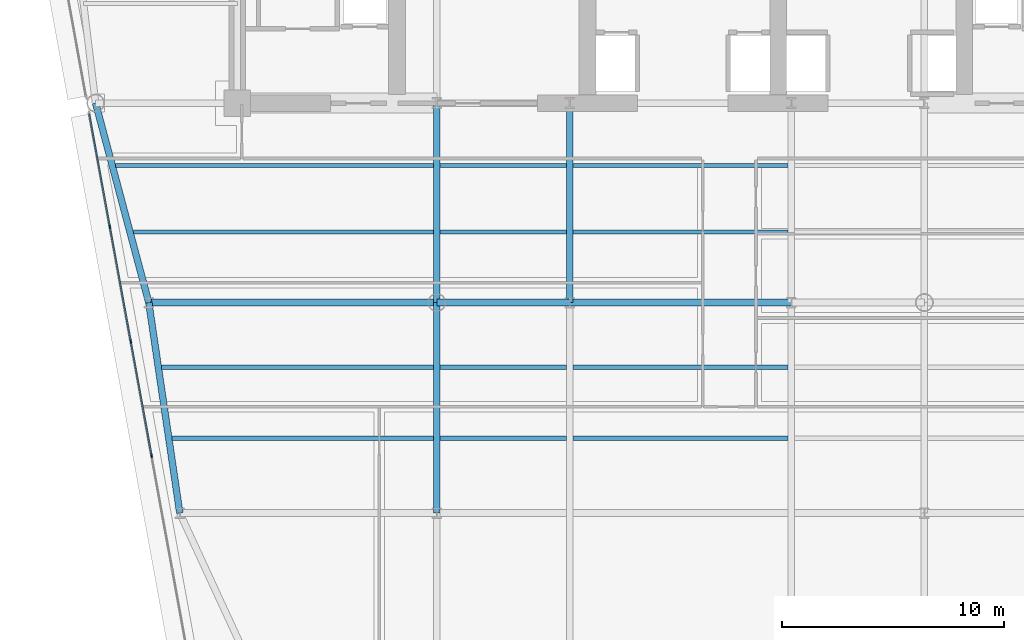
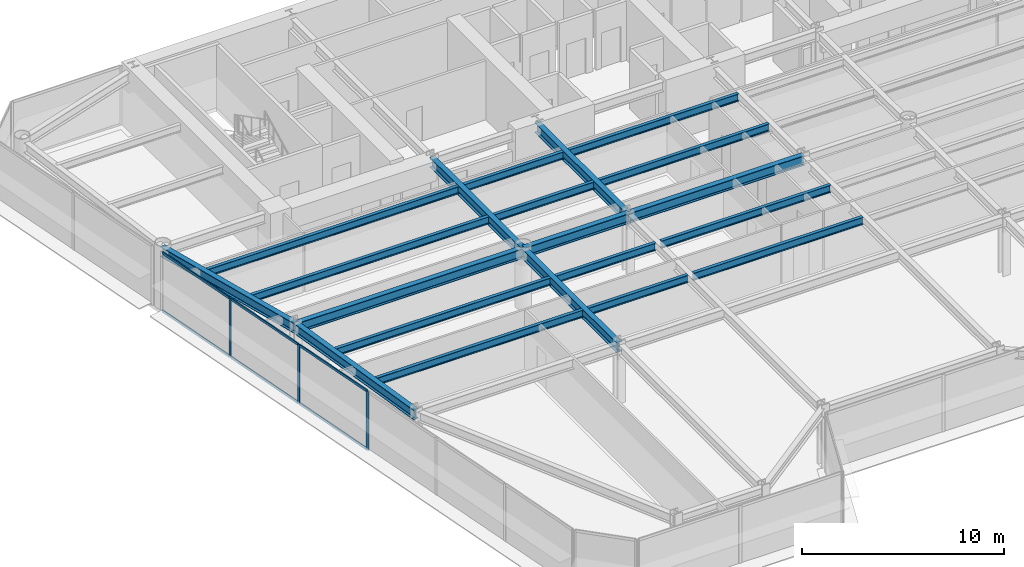
# One storey, part 4 of 17: 20 beams, 9 members, 1 element without a shape of its own.
"""IFC4 building model written with IfcOpenShell, lengths in metres."""

from ifc_helpers import new_model, si_unit, direction, frame, origin, origin_2d, place, context, subcontext, project, spatial, rectangle, i_section, extrude, source, transform, mapped, material, layer, layer_set, material_profile, profile_set, type_object, element, aggregate, save


model = new_model("IFC4")

# Units and contexts
model_context = context("Model", 3, precision=1e-05, world=origin(), true_north=direction((0.0, 1.0)))
body_context = subcontext(model_context, "Body", "Model", "MODEL_VIEW")
ifc_project = project(units=[si_unit("LENGTHUNIT", "METRE"), si_unit("AREAUNIT", "SQUARE_METRE"), si_unit("VOLUMEUNIT", "CUBIC_METRE"), si_unit("PLANEANGLEUNIT", "RADIAN"), si_unit("MASSUNIT", "GRAM", prefix="KILO")], contexts=[model_context])

# Site, building, storey
site_placement = place(None, origin())
site = spatial("IfcSite", under=ifc_project, at=site_placement, CompositionType="ELEMENT")
building_placement = place(site_placement, origin())
building = spatial("IfcBuilding", under=site, at=building_placement, Name="Vaeldorn Concourse Tower", CompositionType="ELEMENT")
storey_placement = place(building_placement, frame((0.0, 0.0, 157.60009765625)))
storey = spatial("IfcBuildingStorey", under=building, at=storey_placement, Name="L40", CompositionType="ELEMENT", Elevation=157.60009765625)

# Beams
ifc_material_1 = material(Name="Steel S355", Category="steel")
ifc_material_profile_1 = material_profile(ifc_material_1, i_section(OverallWidth=0.18994140625, OverallDepth=0.449951171875, WebThickness=0.009521484375, FlangeThickness=0.0146484375, FilletRadius=0.02099609375, at=origin_2d()), Name="IPE 450")
ifc_profile_set_1 = profile_set([ifc_material_profile_1], Name="Steel S355")
beam_type_1 = type_object("IfcBeamType", Name="BM-JS-IPE450", PredefinedType="JOIST", material=ifc_profile_set_1)
shared_shape_1 = source(origin(), body_context, "Body", "SweptSolid", [
    extrude(i_section(OverallWidth=0.18994140625, OverallDepth=0.449951171875, WebThickness=0.009521484375, FlangeThickness=0.0146484375, FilletRadius=0.02099609375, at=origin_2d()), origin(), (0.0, 0.0, 1.0), 5.7001953125),
])
for number, where, z_axis, x_axis, name in (
    (1, (23.14990234375, 21.3798828125, 3.35498046875), (1.0, 0.0, 0.0), (0.0, 1.0, 0.0), "Beam JS-L40-W2-213"),
    (2, (23.14990234375, 24.580078125, 3.35498046875), (1.0, 0.0, 0.0), (0.0, 1.0, 0.0), "Beam JS-L40-W2-245"),
    (3, (23.14990234375, 30.679931640625, 3.35498046875), (1.0, 0.0, 0.0), (0.0, 1.0, 0.0), "Beam JS-L40-W2-306"),
    (4, (23.14990234375, 33.679931640625, 3.35498046875), (1.0, 0.0, 0.0), (0.0, 1.0, 0.0), "Beam JS-L40-W2-336"),
):
    element("IfcBeam", number, at=place(storey_placement, frame(where, z_axis=z_axis, x_axis=x_axis)), inside=storey, type_object=beam_type_1, Name=name, PredefinedType="JOIST", context=body_context, shape_type="MappedRepresentation", body=[
        mapped(shared_shape_1, transform((0.0, 0.0, 0.0), scale=1.0)),
    ])
shared_shape_2 = source(origin(), body_context, "Body", "SweptSolid", [
    extrude(i_section(OverallWidth=0.18994140625, OverallDepth=0.449951171875, WebThickness=0.009521484375, FlangeThickness=0.0146484375, FilletRadius=0.02099609375, at=origin_2d()), origin(), (0.0, 0.0, 1.0), 9.7001953125),
])
for number, where, z_axis, x_axis, name in (
    (5, (29.14990234375, 21.3798828125, 3.35498046875), (1.0, 0.0, 0.0), (0.0, 1.0, 0.0), "Beam JS-L40-C-213"),
    (6, (29.14990234375, 24.580078125, 3.35498046875), (1.0, 0.0, 0.0), (0.0, 1.0, 0.0), "Beam JS-L40-C-245"),
    (7, (29.14990234375, 30.679931640625, 3.35498046875), (1.0, 0.0, 0.0), (0.0, 1.0, 0.0), "Beam JS-L40-C-306"),
    (8, (29.14990234375, 33.679931640625, 3.35498046875), (1.0, 0.0, 0.0), (0.0, 1.0, 0.0), "Beam JS-L40-C-336"),
):
    element("IfcBeam", number, at=place(storey_placement, frame(where, z_axis=z_axis, x_axis=x_axis)), inside=storey, type_object=beam_type_1, Name=name, PredefinedType="JOIST", context=body_context, shape_type="MappedRepresentation", body=[
        mapped(shared_shape_2, transform((0.0, 0.0, 0.0), scale=1.0)),
    ])
shared_shape_3 = source(origin(), body_context, "Body", "SweptSolid", [
    extrude(i_section(OverallWidth=0.18994140625, OverallDepth=0.449951171875, WebThickness=0.009521484375, FlangeThickness=0.0146484375, FilletRadius=0.02099609375, at=origin_2d()), origin(), (0.0, 0.0, 1.0), 11.798095703125),
])
beam_1_placement = place(storey_placement, frame((11.052001953125, 21.3798828125, 3.35498046875), z_axis=(1.0, 0.0, 0.0), x_axis=(0.0, 1.0, 0.0)))
element("IfcBeam", 9, at=beam_1_placement, inside=storey, type_object=beam_type_1, Name="Beam JS-L40-W1-213", PredefinedType="JOIST", context=body_context, shape_type="MappedRepresentation", body=[
    mapped(shared_shape_3, transform((0.0, 0.0, 0.0), scale=1.0)),
])
shared_shape_4 = source(origin(), body_context, "Body", "SweptSolid", [
    extrude(i_section(OverallWidth=0.18994140625, OverallDepth=0.449951171875, WebThickness=0.009521484375, FlangeThickness=0.0146484375, FilletRadius=0.02099609375, at=origin_2d()), origin(), (0.0, 0.0, 1.0), 12.269775390625),
])
beam_2_placement = place(storey_placement, frame((10.580322265625, 24.580078125, 3.35498046875), z_axis=(1.0, 0.0, 0.0), x_axis=(0.0, 1.0, 0.0)))
element("IfcBeam", 10, at=beam_2_placement, inside=storey, type_object=beam_type_1, Name="Beam JS-L40-W1-245", PredefinedType="JOIST", context=body_context, shape_type="MappedRepresentation", body=[
    mapped(shared_shape_4, transform((0.0, 0.0, 0.0), scale=1.0)),
])
shared_shape_5 = source(origin(), body_context, "Body", "SweptSolid", [
    extrude(i_section(OverallWidth=0.18994140625, OverallDepth=0.449951171875, WebThickness=0.009521484375, FlangeThickness=0.0146484375, FilletRadius=0.02099609375, at=origin_2d()), origin(), (0.0, 0.0, 1.0), 13.548095703125),
])
beam_3_placement = place(storey_placement, frame((9.302001953125, 30.679931640625, 3.35498046875), z_axis=(1.0, 0.0, 0.0), x_axis=(0.0, 1.0, 0.0)))
element("IfcBeam", 11, at=beam_3_placement, inside=storey, type_object=beam_type_1, Name="Beam JS-L40-W1-306", PredefinedType="JOIST", context=body_context, shape_type="MappedRepresentation", body=[
    mapped(shared_shape_5, transform((0.0, 0.0, 0.0), scale=1.0)),
])
shared_shape_6 = source(origin(), body_context, "Body", "SweptSolid", [
    extrude(i_section(OverallWidth=0.18994140625, OverallDepth=0.449951171875, WebThickness=0.009521484375, FlangeThickness=0.0146484375, FilletRadius=0.02099609375, at=origin_2d()), origin(), (0.0, 0.0, 1.0), 14.34814453125),
])
beam_4_placement = place(storey_placement, frame((8.501953125, 33.679931640625, 3.35498046875), z_axis=(1.0, 0.0, 0.0), x_axis=(0.0, 1.0, 0.0)))
element("IfcBeam", 12, at=beam_4_placement, inside=storey, type_object=beam_type_1, Name="Beam JS-L40-W1-336", PredefinedType="JOIST", context=body_context, shape_type="MappedRepresentation", body=[
    mapped(shared_shape_6, transform((0.0, 0.0, 0.0), scale=1.0)),
])
ifc_material_profile_2 = material_profile(ifc_material_1, i_section(OverallWidth=0.300048828125, OverallDepth=0.60009765625, WebThickness=0.015380859375, FlangeThickness=0.030029296875, FilletRadius=0.027099609375, at=origin_2d()), Name="HEB 600")
ifc_profile_set_2 = profile_set([ifc_material_profile_2], Name="Steel S355")
beam_type_2 = type_object("IfcBeamType", Name="BM-PG-HEB600", PredefinedType="BEAM", material=ifc_profile_set_2)
shared_shape_7 = source(origin(), body_context, "Body", "SweptSolid", [
    extrude(i_section(OverallWidth=0.300048828125, OverallDepth=0.60009765625, WebThickness=0.015380859375, FlangeThickness=0.030029296875, FilletRadius=0.027099609375, at=origin_2d()), origin(), (0.0, 0.0, 1.0), 6.0),
])
beam_5_placement = place(storey_placement, frame((23.0, 27.5, 3.27978515625), z_axis=(1.0, 0.0, 0.0), x_axis=(0.0, 1.0, 0.0)))
element("IfcBeam", 13, at=beam_5_placement, inside=storey, type_object=beam_type_2, Name="Beam BM-L40-C-TW1-C-TW2", PredefinedType="BEAM", context=body_context, shape_type="MappedRepresentation", body=[
    mapped(shared_shape_7, transform((0.0, 0.0, 0.0), scale=1.0)),
])
shared_shape_8 = source(origin(), body_context, "Body", "SweptSolid", [
    extrude(i_section(OverallWidth=0.300048828125, OverallDepth=0.60009765625, WebThickness=0.015380859375, FlangeThickness=0.030029296875, FilletRadius=0.027099609375, at=origin_2d()), origin(), (0.0, 0.0, 1.0), 10.0),
])
beam_6_placement = place(storey_placement, frame((29.0, 27.5, 3.27978515625), z_axis=(1.0, 0.0, 0.0), x_axis=(0.0, 1.0, 0.0)))
element("IfcBeam", 14, at=beam_6_placement, inside=storey, type_object=beam_type_2, Name="Beam BM-L40-C-TW2-C-TW3", PredefinedType="BEAM", context=body_context, shape_type="MappedRepresentation", body=[
    mapped(shared_shape_8, transform((0.0, 0.0, 0.0), scale=1.0)),
])
shared_shape_9 = source(origin(), body_context, "Body", "SweptSolid", [
    extrude(i_section(OverallWidth=0.300048828125, OverallDepth=0.60009765625, WebThickness=0.015380859375, FlangeThickness=0.030029296875, FilletRadius=0.027099609375, at=origin_2d()), origin(), (0.0, 0.0, 1.0), 9.0),
])
for number, where, z_axis, x_axis, name in (
    (15, (23.0, 27.5, 3.27978515625), (0.0, 1.0, 0.0), (-1.0, 0.0, 0.0), "Beam BM-L40-C-TW1-C-FC2"),
    (16, (29.0, 27.5, 3.27978515625), (0.0, 1.0, 0.0), (-1.0, 0.0, 0.0), "Beam BM-L40-C-TW2-C-FC3"),
):
    element("IfcBeam", number, at=place(storey_placement, frame(where, z_axis=z_axis, x_axis=x_axis)), inside=storey, type_object=beam_type_2, Name=name, PredefinedType="BEAM", context=body_context, shape_type="MappedRepresentation", body=[
        mapped(shared_shape_9, transform((0.0, 0.0, 0.0), scale=1.0)),
    ])
shared_shape_10 = source(origin(), body_context, "Body", "SweptSolid", [
    extrude(i_section(OverallWidth=0.300048828125, OverallDepth=0.60009765625, WebThickness=0.015380859375, FlangeThickness=0.030029296875, FilletRadius=0.027099609375, at=origin_2d()), origin(), (0.0, 0.0, 1.0), 9.314453125),
])
beam_7_placement = place(storey_placement, frame((7.60009765625, 36.5, 3.27978515625), z_axis=(0.257652862255, -0.966237549763, 0.0), x_axis=(0.966237549763, 0.257652862255, 0.0)))
element("IfcBeam", 17, at=beam_7_placement, inside=storey, type_object=beam_type_2, Name="Beam BM-L40-C-NW2-C-FLW1", PredefinedType="BEAM", context=body_context, shape_type="MappedRepresentation", body=[
    mapped(shared_shape_10, transform((0.0, 0.0, 0.0), scale=1.0)),
])
shared_shape_11 = source(origin(), body_context, "Body", "SweptSolid", [
    extrude(i_section(OverallWidth=0.300048828125, OverallDepth=0.60009765625, WebThickness=0.015380859375, FlangeThickness=0.030029296875, FilletRadius=0.027099609375, at=origin_2d()), origin(), (0.0, 0.0, 1.0), 13.0),
])
beam_8_placement = place(storey_placement, frame((10.0, 27.5, 3.27978515625), z_axis=(1.0, 0.0, 0.0), x_axis=(0.0, 1.0, 0.0)))
element("IfcBeam", 18, at=beam_8_placement, inside=storey, type_object=beam_type_2, Name="Beam BM-L40-C-FLW1-C-TW1", PredefinedType="BEAM", context=body_context, shape_type="MappedRepresentation", body=[
    mapped(shared_shape_11, transform((0.0, 0.0, 0.0), scale=1.0)),
])
shared_shape_12 = source(origin(), body_context, "Body", "SweptSolid", [
    extrude(i_section(OverallWidth=0.300048828125, OverallDepth=0.60009765625, WebThickness=0.015380859375, FlangeThickness=0.030029296875, FilletRadius=0.027099609375, at=origin_2d()), origin(), (0.0, 0.0, 1.0), 9.6025390625),
])
beam_9_placement = place(storey_placement, frame((10.0, 27.5, 3.27978515625), z_axis=(0.145783835977, -0.989316467652, 0.0), x_axis=(0.989316467652, 0.145783835977, 0.0)))
element("IfcBeam", 19, at=beam_9_placement, inside=storey, type_object=beam_type_2, Name="Beam BM-L40-C-FLW1-C-FLW2", PredefinedType="BEAM", context=body_context, shape_type="MappedRepresentation", body=[
    mapped(shared_shape_12, transform((0.0, 0.0, 0.0), scale=1.0)),
])
shared_shape_13 = source(origin(), body_context, "Body", "SweptSolid", [
    extrude(i_section(OverallWidth=0.300048828125, OverallDepth=0.60009765625, WebThickness=0.015380859375, FlangeThickness=0.030029296875, FilletRadius=0.027099609375, at=origin_2d()), origin(), (0.0, 0.0, 1.0), 9.5),
])
beam_10_placement = place(storey_placement, frame((23.0, 18.0, 3.27978515625), z_axis=(0.0, 1.0, 0.0), x_axis=(-1.0, 0.0, 0.0)))
element("IfcBeam", 20, at=beam_10_placement, inside=storey, type_object=beam_type_2, Name="Beam BM-L40-C-TW5-C-TW1", PredefinedType="BEAM", context=body_context, shape_type="MappedRepresentation", body=[
    mapped(shared_shape_13, transform((0.0, 0.0, 0.0), scale=1.0)),
])

# Curtain wall, members
ifc_material_2 = material(Name="Anodised Bronze Aluminium", Category="aluminium")
ifc_layer = layer(ifc_material_2, 0.18994140625)
ifc_layer_set = layer_set([ifc_layer], Name="Anodised Bronze Aluminium")
curtain_wall_type = type_object("IfcCurtainWallType", Name="CW-SYS-03", PredefinedType="NOTDEFINED", material=ifc_layer_set)
curtain_wall_placement = place(storey_placement, origin())
curtain_wall = element("IfcCurtainWall", 21, at=curtain_wall_placement, inside=storey, type_object=curtain_wall_type, Name="Unitised Curtain Wall CW-L40-E11-2", PredefinedType="NOTDEFINED")
ifc_material_profile_3 = material_profile(ifc_material_2, rectangle(XDim=0.06494140625, YDim=0.169921875, at=origin_2d()), Name="CWM 65x170")
ifc_profile_set_3 = profile_set([ifc_material_profile_3], Name="Anodised Bronze Aluminium")
member_type_1 = type_object("IfcMemberType", Name="CWM-BRONZE-170", PredefinedType="MULLION", material=ifc_profile_set_3)
shared_shape_14 = source(origin(), body_context, "Body", "SweptSolid", [
    extrude(rectangle(XDim=0.06494140625, YDim=0.169921875, at=origin_2d()), origin(), (0.0, 0.0, 1.0), 3.579833984375),
])
member_1_placement = place(storey_placement, frame((8.243408203125, 30.919677734375, 0.0), z_axis=(0.0, 0.0, 1.0), x_axis=(0.983767841325, 0.179445909331, 0.0)))
member_1 = element("IfcMember", 22, at=member_1_placement, type_object=member_type_1, Name="CW-03 mullion 2", PredefinedType="MULLION", context=body_context, shape_type="MappedRepresentation", body=[
    mapped(shared_shape_14, transform((0.0, 0.0, 0.0), scale=1.0)),
])
member_2_placement = place(storey_placement, frame((9.185302734375, 25.755615234375, 0.0), z_axis=(0.0, 0.0, 1.0), x_axis=(0.983767841325, 0.179445909331, 0.0)))
member_2 = element("IfcMember", 23, at=member_2_placement, type_object=member_type_1, Name="CW-03 mullion 3", PredefinedType="MULLION", context=body_context, shape_type="MappedRepresentation", body=[
    mapped(shared_shape_14, transform((0.0, 0.0, 0.0), scale=1.0)),
])
member_3_placement = place(storey_placement, frame((10.127197265625, 20.591796875, 0.0), z_axis=(0.0, 0.0, 1.0), x_axis=(0.983767841325, 0.179445909331, 0.0)))
member_3 = element("IfcMember", 24, at=member_3_placement, type_object=member_type_1, Name="CW-03 mullion 4", PredefinedType="MULLION", context=body_context, shape_type="MappedRepresentation", body=[
    mapped(shared_shape_14, transform((0.0, 0.0, 0.0), scale=1.0)),
])
ifc_material_profile_4 = material_profile(ifc_material_2, rectangle(XDim=0.06494140625, YDim=0.14990234375, at=origin_2d()), Name="CWT 65x150")
ifc_profile_set_4 = profile_set([ifc_material_profile_4], Name="Anodised Bronze Aluminium")
member_type_2 = type_object("IfcMemberType", Name="CWT-BRONZE-150", PredefinedType="USERDEFINED", material=ifc_profile_set_4)
shared_shape_15 = source(origin(), body_context, "Body", "SweptSolid", [
    extrude(rectangle(XDim=0.06494140625, YDim=0.14990234375, at=origin_2d()), origin(), (0.0, 0.0, 1.0), 5.151611328125),
])
member_4_placement = place(storey_placement, frame((7.31298828125, 36.01953125, 0.032470703125), z_axis=(0.179473445995, -0.983762818053, 0.0), x_axis=(0.983762818053, 0.179473445995, 0.0)))
member_4 = element("IfcMember", 25, at=member_4_placement, type_object=member_type_2, Name="CW-03 transom 1.1", ObjectType="TRANSOM", PredefinedType="USERDEFINED", context=body_context, shape_type="MappedRepresentation", body=[
    mapped(shared_shape_15, transform((0.0, 0.0, 0.0), scale=1.0)),
])
member_5_placement = place(storey_placement, frame((7.31298828125, 36.01953125, 3.54736328125), z_axis=(0.179473445995, -0.983762818053, 0.0), x_axis=(0.983762818053, 0.179473445995, 0.0)))
member_5 = element("IfcMember", 26, at=member_5_placement, type_object=member_type_2, Name="CW-03 transom 1.2", ObjectType="TRANSOM", PredefinedType="USERDEFINED", context=body_context, shape_type="MappedRepresentation", body=[
    mapped(shared_shape_15, transform((0.0, 0.0, 0.0), scale=1.0)),
])
shared_shape_16 = source(origin(), body_context, "Body", "SweptSolid", [
    extrude(rectangle(XDim=0.06494140625, YDim=0.14990234375, at=origin_2d()), origin(), (0.0, 0.0, 1.0), 5.18408203125),
])
member_6_placement = place(storey_placement, frame((9.191162109375, 25.7236328125, 0.032470703125), z_axis=(0.179432467646, -0.983770293084, 0.0), x_axis=(0.983770293084, 0.179432467646, 0.0)))
member_6 = element("IfcMember", 27, at=member_6_placement, type_object=member_type_2, Name="CW-03 transom 3.1", ObjectType="TRANSOM", PredefinedType="USERDEFINED", context=body_context, shape_type="MappedRepresentation", body=[
    mapped(shared_shape_16, transform((0.0, 0.0, 0.0), scale=1.0)),
])
member_7_placement = place(storey_placement, frame((9.191162109375, 25.7236328125, 3.54736328125), z_axis=(0.179432467646, -0.983770293084, 0.0), x_axis=(0.983770293084, 0.179432467646, 0.0)))
member_7 = element("IfcMember", 28, at=member_7_placement, type_object=member_type_2, Name="CW-03 transom 3.2", ObjectType="TRANSOM", PredefinedType="USERDEFINED", context=body_context, shape_type="MappedRepresentation", body=[
    mapped(shared_shape_16, transform((0.0, 0.0, 0.0), scale=1.0)),
])
shared_shape_17 = source(origin(), body_context, "Body", "SweptSolid", [
    extrude(rectangle(XDim=0.06494140625, YDim=0.14990234375, at=origin_2d()), origin(), (0.0, 0.0, 1.0), 5.184326171875),
])
member_8_placement = place(storey_placement, frame((8.249267578125, 30.8876953125, 0.032470703125), z_axis=(0.179424154775, -0.983771809254, 0.0), x_axis=(0.983771809254, 0.179424154775, 0.0)))
member_8 = element("IfcMember", 29, at=member_8_placement, type_object=member_type_2, Name="CW-03 transom 2.1", ObjectType="TRANSOM", PredefinedType="USERDEFINED", context=body_context, shape_type="MappedRepresentation", body=[
    mapped(shared_shape_17, transform((0.0, 0.0, 0.0), scale=1.0)),
])
member_9_placement = place(storey_placement, frame((8.249267578125, 30.8876953125, 3.54736328125), z_axis=(0.179424154775, -0.983771809254, 0.0), x_axis=(0.983771809254, 0.179424154775, 0.0)))
member_9 = element("IfcMember", 30, at=member_9_placement, type_object=member_type_2, Name="CW-03 transom 2.2", ObjectType="TRANSOM", PredefinedType="USERDEFINED", context=body_context, shape_type="MappedRepresentation", body=[
    mapped(shared_shape_17, transform((0.0, 0.0, 0.0), scale=1.0)),
])
aggregate(curtain_wall, [member_1, member_2, member_3, member_4, member_5, member_8, member_9, member_6, member_7])

save(model, "model.ifc")
